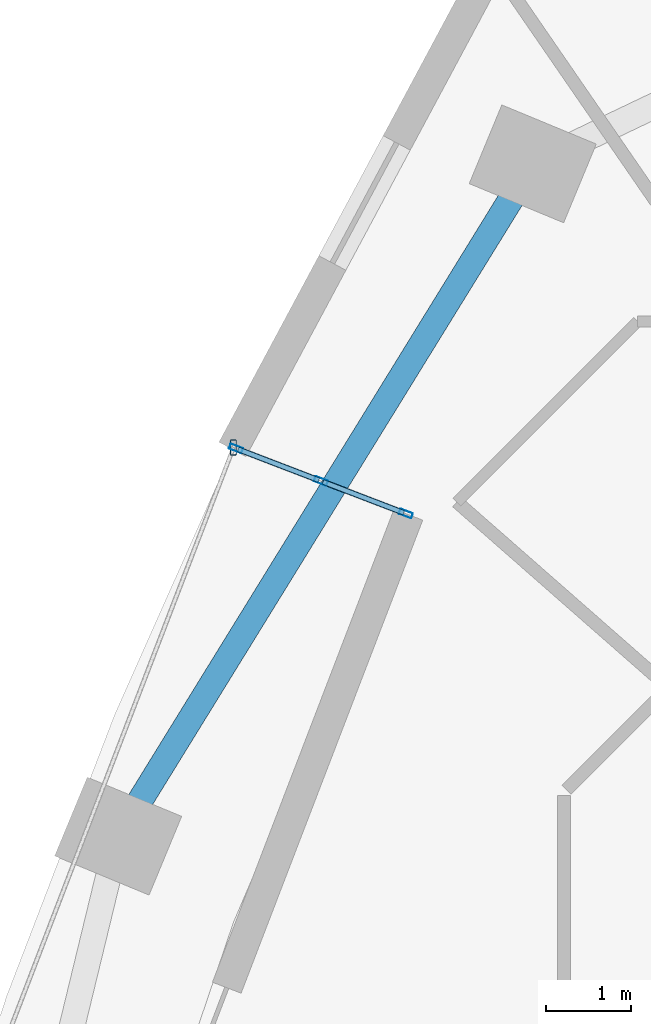
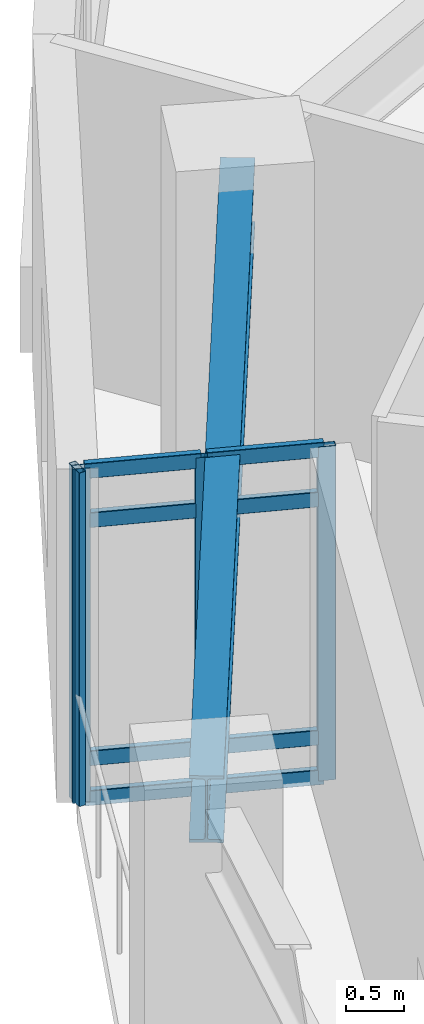
# One storey, part 3 of 12: 12 members, 1 beam, 1 element without a shape of its own.
"""IFC4 building model written with IfcOpenShell, lengths in metres."""

import ifcopenshell
import ifcopenshell.guid

model = None  # the IFC model being written
_history = None  # IfcOwnerHistory: only IFC2X3 demands one
_inside = {}  # id of a spatial element -> (the spatial element, [elements in it])
_under = {}  # id of a project, library or spatial element -> (it, [spatial elements below it])
_declared = {}  # id of a project -> (the project, [libraries it declares])
_typed = {}  # id of a type object -> (the type object, [elements of that type])
_made_of = {}  # id of a material, layer set ... -> (it, [elements and type objects made of it])


def new_model(schema):
    """Start an empty IFC model of exactly this schema.

    Asked for "IFC4X3", IfcOpenShell would pick the latest addendum, in which some entities
    have other attributes; the version numbers below select the first issue.
    IFC2X3 requires an IfcOwnerHistory on every rooted entity: one is made here for all.
    """
    global model, _history
    if schema == "IFC4X3":
        model = ifcopenshell.file(schema_version=(4, 3, 0, 0))
    else:
        model = ifcopenshell.file(schema=schema)
    _inside.clear()
    _under.clear()
    _declared.clear()
    _typed.clear()
    _made_of.clear()
    _history = None
    if model.schema == "IFC2X3":
        org = make("IfcOrganization", Name="unknown")
        user = make(
            "IfcPersonAndOrganization",
            ThePerson=make("IfcPerson", FamilyName="unknown"),
            TheOrganization=org,
        )
        app = make(
            "IfcApplication",
            ApplicationDeveloper=org,
            Version="unknown",
            ApplicationFullName="unknown",
            ApplicationIdentifier="unknown",
        )
        _history = make(
            "IfcOwnerHistory",
            OwningUser=user,
            OwningApplication=app,
            ChangeAction="ADDED",
            CreationDate=0,
        )
    return model


def make(cls, **values):
    """One entity of the class cls with the attributes given. An attribute that is None is left unset."""
    return model.create_entity(
        cls, **{name: value for name, value in values.items() if value is not None}
    )


def rooted(cls, **values):
    """An entity with a GlobalId (a new one), such as an element, a storey or a relation."""
    return make(cls, GlobalId=ifcopenshell.guid.new(), OwnerHistory=_history, **values)


def si_unit(unit_type, name, prefix=None):
    """IfcSIUnit, for example si_unit("LENGTHUNIT", "METRE", prefix="MILLI")."""
    return make("IfcSIUnit", UnitType=unit_type, Prefix=prefix, Name=name)


def assignment(units):
    """IfcUnitAssignment: the units of a project."""
    return None if units is None else make("IfcUnitAssignment", Units=units)


def point(xyz):
    """IfcCartesianPoint."""
    return None if xyz is None else make("IfcCartesianPoint", Coordinates=xyz)


def direction(xyz):
    """IfcDirection."""
    return None if xyz is None else make("IfcDirection", DirectionRatios=xyz)


def frame(location, z_axis=None, x_axis=None):
    """IfcAxis2Placement3D, a coordinate frame: its origin and axes. An axis left out is left unset."""
    return make(
        "IfcAxis2Placement3D",
        Location=point(location),
        Axis=direction(z_axis),
        RefDirection=direction(x_axis),
    )


def frame_2d(location, x_axis=None):
    """IfcAxis2Placement2D, a coordinate frame in the plane: its origin and x axis."""
    return make(
        "IfcAxis2Placement2D", Location=point(location), RefDirection=direction(x_axis)
    )


def origin():
    """The frame at (0, 0, 0) with its axes left unset."""
    return frame((0.0, 0.0, 0.0))


def origin_2d():
    """The frame at (0, 0) in the plane with its x axis left unset."""
    return frame_2d((0.0, 0.0))


def place(relative_to, where):
    """IfcLocalPlacement: puts the frame where relative to a parent placement (None: the world)."""
    return make(
        "IfcLocalPlacement", PlacementRelTo=relative_to, RelativePlacement=where
    )


def context(
    kind, dimensions, precision=None, world=None, true_north=None, identifier=None
):
    """IfcGeometricRepresentationContext, for example the 3D "Model" context."""
    return make(
        "IfcGeometricRepresentationContext",
        ContextIdentifier=identifier,
        ContextType=kind,
        CoordinateSpaceDimension=dimensions,
        Precision=precision,
        WorldCoordinateSystem=world,
        TrueNorth=true_north,
    )


def subcontext(parent, identifier, kind, view, scale=None):
    """IfcGeometricRepresentationSubContext, for example "Body" below "Model"."""
    return make(
        "IfcGeometricRepresentationSubContext",
        ContextIdentifier=identifier,
        ContextType=kind,
        ParentContext=parent,
        TargetScale=scale,
        TargetView=view,
    )


def project(units=None, contexts=None):
    """IfcProject with its units and contexts."""
    return rooted(
        "IfcProject",
        Name="project",
        RepresentationContexts=contexts,
        UnitsInContext=assignment(units),
    )


def spatial(cls, under=None, at=None, **own):
    """A site, building, storey or space (cls), placed at a placement, below another one or the project."""
    s = rooted(cls, ObjectPlacement=at, **own)
    if under is not None:
        _under.setdefault(under.id(), (under, []))[1].append(s)
    return s


def profile(cls, at=None, kind="AREA", **sizes):
    """A parametric profile (cls). Its sizes go by their IFC names, for example OverallWidth=200.0."""
    return make(cls, ProfileType=kind, Position=at, **sizes)


def hollow_rectangle(**sizes):
    """IfcRectangleHollowProfileDef."""
    return profile("IfcRectangleHollowProfileDef", **sizes)


def i_section(**sizes):
    """IfcIShapeProfileDef."""
    return profile("IfcIShapeProfileDef", **sizes)


def extrude(swept, where, along, depth):
    """IfcExtrudedAreaSolid: the profile swept, set in the frame where, extruded along a direction by depth."""
    return make(
        "IfcExtrudedAreaSolid",
        SweptArea=swept,
        Position=where,
        ExtrudedDirection=direction(along),
        Depth=depth,
    )


def shape(context_of_items, identifier, shape_type, items):
    """IfcShapeRepresentation: the items that make up one representation, for example the "Body"."""
    return make(
        "IfcShapeRepresentation",
        ContextOfItems=context_of_items,
        RepresentationIdentifier=identifier,
        RepresentationType=shape_type,
        Items=items,
    )


def material(Name=None, Category=None):
    """IfcMaterial."""
    return make("IfcMaterial", Name=Name, Category=Category)


def layer(
    of_material, thickness, ventilated=None, Name=None, Category=None, Priority=None
):
    """IfcMaterialLayer: one layer of a wall or slab, of a material (None: an air gap)."""
    return make(
        "IfcMaterialLayer",
        Material=of_material,
        LayerThickness=thickness,
        IsVentilated=ventilated,
        Name=Name,
        Category=Category,
        Priority=Priority,
    )


def layer_set(layers, Name=None):
    """IfcMaterialLayerSet."""
    return make("IfcMaterialLayerSet", MaterialLayers=layers, LayerSetName=Name)


def material_profile(
    of_material, cross_section, Name=None, Category=None, Priority=None
):
    """IfcMaterialProfile: a cross section and its material."""
    return make(
        "IfcMaterialProfile",
        Name=Name,
        Material=of_material,
        Profile=cross_section,
        Priority=Priority,
        Category=Category,
    )


def profile_set(profiles, Name=None, composite=None):
    """IfcMaterialProfileSet."""
    return make(
        "IfcMaterialProfileSet",
        Name=Name,
        MaterialProfiles=profiles,
        CompositeProfile=composite,
    )


def made_of(thing, what):
    """Note that an element or type object is made of a material, layer set ...; save() writes the relation."""
    if what is not None:
        _made_of.setdefault(what.id(), (what, []))[1].append(thing)
    return thing


def type_object(cls, material=None, **own):
    """A type object (cls), such as IfcWallType, which elements share."""
    return made_of(rooted(cls, **own), material)


def element(
    cls,
    number,
    at=None,
    inside=None,
    cuts=None,
    type_object=None,
    material=None,
    context=None,
    identifier="Body",
    shape_type=None,
    held_by="IfcProductDefinitionShape",
    body=None,
    shapes=None,
    **own,
):
    """One element of the class cls, such as IfcWall. Its Tag is "e" and its number.

    at: its placement. inside: the storey or other place that contains it. cuts: it is an
    opening in that element (IfcRelVoidsElement). A single representation is given by context,
    identifier, shape_type and body (its items); several are given by shapes. held_by: the class
    of the entity that holds the representations. save() writes the other relations.
    """
    e = rooted(cls, Tag="e%d" % number, ObjectPlacement=at, **own)
    if body is not None:
        shapes = [shape(context, identifier, shape_type, body)]
    if shapes is not None:
        e.Representation = make(held_by, Representations=shapes)
    if inside is not None:
        _inside.setdefault(inside.id(), (inside, []))[1].append(e)
    if cuts is not None:
        rooted(
            "IfcRelVoidsElement", RelatingBuildingElement=cuts, RelatedOpeningElement=e
        )
    if type_object is not None:
        _typed.setdefault(type_object.id(), (type_object, []))[1].append(e)
    return made_of(e, material)


def aggregate(whole, parts):
    """IfcRelAggregates: a whole, such as a stair, and the parts it consists of."""
    return rooted("IfcRelAggregates", RelatingObject=whole, RelatedObjects=parts)


def save(model, path):
    """Write the relations noted so far, then the file.

    IfcRelAggregates (storeys below a building ...), IfcRelContainedInSpatialStructure (elements
    in a storey), IfcRelDefinesByType, IfcRelAssociatesMaterial and IfcRelDeclares: one each for
    every whole, place, type object, material and project.
    """
    for whole, parts in _under.values():
        aggregate(whole, parts)
    for where, things in _inside.values():
        rooted(
            "IfcRelContainedInSpatialStructure",
            RelatedElements=things,
            RelatingStructure=where,
        )
    for kind, things in _typed.values():
        rooted("IfcRelDefinesByType", RelatedObjects=things, RelatingType=kind)
    for what, things in _made_of.values():
        rooted("IfcRelAssociatesMaterial", RelatedObjects=things, RelatingMaterial=what)
    for by, libraries in _declared.values():
        rooted("IfcRelDeclares", RelatingContext=by, RelatedDefinitions=libraries)
    model.write(path)


model = new_model("IFC4")

# Units and contexts
model_context = context("Model", 3, precision=1e-05, world=origin(), true_north=direction((0.0, 1.0)))
body_context = subcontext(model_context, "Body", "Model", "MODEL_VIEW")
ifc_project = project(units=[si_unit("LENGTHUNIT", "METRE"), si_unit("AREAUNIT", "SQUARE_METRE"), si_unit("VOLUMEUNIT", "CUBIC_METRE"), si_unit("PLANEANGLEUNIT", "RADIAN"), si_unit("MASSUNIT", "GRAM", prefix="KILO")], contexts=[model_context])

# Site, building, storey
site_placement = place(None, origin())
site = spatial("IfcSite", under=ifc_project, at=site_placement, CompositionType="ELEMENT")
building_placement = place(site_placement, origin())
building = spatial("IfcBuilding", under=site, at=building_placement, Name="Ndelora Gate Hotel", CompositionType="ELEMENT")
storey_placement = place(building_placement, frame((0.0, 0.0, 60.5)))
storey = spatial("IfcBuildingStorey", under=building, at=storey_placement, Name="L14", CompositionType="ELEMENT", Elevation=60.5)

# Beam
ifc_material_1 = material(Name="Steel S355", Category="steel")
ifc_material_profile_1 = material_profile(ifc_material_1, i_section(OverallWidth=0.300048828125, OverallDepth=0.699951171875, WebThickness=0.01708984375, FlangeThickness=0.031982421875, FilletRadius=0.027099609375, at=origin_2d()), Name="HEB 700")
ifc_profile_set_1 = profile_set([ifc_material_profile_1], Name="Steel S355")
beam_type = type_object("IfcBeamType", Name="BM-RING-700", PredefinedType="SPANDREL", material=ifc_profile_set_1)
beam_placement = place(storey_placement, frame((-11.1484375, 14.529052734375, 3.14990234375), z_axis=(-0.524897602516, -0.851165381623, 0.0), x_axis=(0.851165381623, -0.524897602516, 0.0)))
element("IfcBeam", 1, at=beam_placement, inside=storey, type_object=beam_type, Name="L14 Perimeter Spandrel Girder 2", PredefinedType="SPANDREL", context=body_context, shape_type="SweptSolid", body=[
    extrude(i_section(OverallWidth=0.300048828125, OverallDepth=0.699951171875, WebThickness=0.01708984375, FlangeThickness=0.031982421875, FilletRadius=0.027099609375, at=origin_2d()), origin(), (0.0, 0.0, 1.0), 9.27490234375),
])

# Curtain wall, members
ifc_material_2 = material(Name="Bronze Anodised Unitised Aluminium and Low-E Glass", Category="aluminium")
ifc_layer = layer(ifc_material_2, 0.199951171875)
ifc_layer_set = layer_set([ifc_layer], Name="Bronze Anodised Unitised Aluminium and Low-E Glass")
curtain_wall_type = type_object("IfcCurtainWallType", Name="CW-SYS-3", PredefinedType="NOTDEFINED", material=ifc_layer_set)
curtain_wall_placement = place(storey_placement, origin())
curtain_wall = element("IfcCurtainWall", 2, at=curtain_wall_placement, inside=storey, type_object=curtain_wall_type, Name="L14 Sky-Garden Loggia Side Curtain Wall CW3-1", PredefinedType="NOTDEFINED")
ifc_material_3 = material(Name="Bronze Anodised Aluminium 6063-T6", Category="aluminium")
ifc_material_profile_2 = material_profile(ifc_material_3, hollow_rectangle(XDim=0.06494140625, YDim=0.159912109375, WallThickness=0.00390625, InnerFilletRadius=0.00390625, OuterFilletRadius=0.008056640625, at=origin_2d()), Name="ALU 160x65x4")
ifc_profile_set_2 = profile_set([ifc_material_profile_2], Name="Bronze Anodised Aluminium 6063-T6")
member_type_1 = type_object("IfcMemberType", Name="MB-CW-MUL150", PredefinedType="MULLION", material=ifc_profile_set_2)
member_1_placement = place(storey_placement, frame((-12.638916015625, 10.421630859375, -0.00390625), z_axis=(0.0, 0.0, 1.0), x_axis=(-0.358360683234, -0.93358321574, 0.0)))
member_1 = element("IfcMember", 3, at=member_1_placement, type_object=member_type_1, Name="CW3 mullion 1", PredefinedType="MULLION", context=body_context, shape_type="SweptSolid", body=[
    extrude(hollow_rectangle(XDim=0.06494140625, YDim=0.159912109375, WallThickness=0.00390625, InnerFilletRadius=0.00390625, OuterFilletRadius=0.008056640625, at=origin_2d()), origin(), (0.0, 0.0, 1.0), 3.5078125),
])
member_2_placement = place(storey_placement, frame((-13.635498046875, 10.80419921875, -0.00390625), z_axis=(0.0, 0.0, 1.0), x_axis=(-0.358360683234, -0.93358321574, 0.0)))
member_2 = element("IfcMember", 4, at=member_2_placement, type_object=member_type_1, Name="CW3 mullion 2", PredefinedType="MULLION", context=body_context, shape_type="SweptSolid", body=[
    extrude(hollow_rectangle(XDim=0.06494140625, YDim=0.159912109375, WallThickness=0.00390625, InnerFilletRadius=0.00390625, OuterFilletRadius=0.008056640625, at=origin_2d()), origin(), (0.0, 0.0, 1.0), 3.5078125),
])
member_3_placement = place(storey_placement, frame((-14.632080078125, 11.186767578125, -0.00390625), z_axis=(0.0, 0.0, 1.0), x_axis=(-0.358360683234, -0.93358321574, 0.0)))
member_3 = element("IfcMember", 5, at=member_3_placement, type_object=member_type_1, Name="CW3 mullion 3", PredefinedType="MULLION", context=body_context, shape_type="SweptSolid", body=[
    extrude(hollow_rectangle(XDim=0.06494140625, YDim=0.159912109375, WallThickness=0.00390625, InnerFilletRadius=0.00390625, OuterFilletRadius=0.008056640625, at=origin_2d()), origin(), (0.0, 0.0, 1.0), 3.5078125),
])
ifc_material_profile_3 = material_profile(ifc_material_3, hollow_rectangle(XDim=0.070068359375, YDim=0.179931640625, WallThickness=0.0048828125, InnerFilletRadius=0.0048828125, OuterFilletRadius=0.010009765625, at=origin_2d()), Name="ALU 180x70x5")
ifc_profile_set_3 = profile_set([ifc_material_profile_3], Name="Bronze Anodised Aluminium 6063-T6")
member_type_2 = type_object("IfcMemberType", Name="MB-CW-MUL180", PredefinedType="MULLION", material=ifc_profile_set_3)
member_4_placement = place(storey_placement, frame((-14.66259765625, 11.198486328125, 0.0), z_axis=(0.0, 0.0, 1.0), x_axis=(1.0, 0.0, 0.0)))
member_4 = element("IfcMember", 6, at=member_4_placement, type_object=member_type_2, Name="L14 Sky-Garden Loggia Corner Mullion Post 1", PredefinedType="MULLION", context=body_context, shape_type="SweptSolid", body=[
    extrude(hollow_rectangle(XDim=0.070068359375, YDim=0.179931640625, WallThickness=0.0048828125, InnerFilletRadius=0.0048828125, OuterFilletRadius=0.010009765625, at=origin_2d()), origin(), (0.0, 0.0, 1.0), 3.5),
])
ifc_material_profile_4 = material_profile(ifc_material_3, hollow_rectangle(XDim=0.06494140625, YDim=0.159912109375, WallThickness=0.00390625, InnerFilletRadius=0.00390625, OuterFilletRadius=0.008056640625, at=origin_2d()), Name="ALU 160x65x4")
ifc_profile_set_4 = profile_set([ifc_material_profile_4], Name="Bronze Anodised Aluminium 6063-T6")
member_type_3 = type_object("IfcMemberType", Name="MB-CW-TRN150", PredefinedType="USERDEFINED", material=ifc_profile_set_4)
member_5_placement = place(storey_placement, frame((-12.66357421875, 10.43115234375, 0.032470703125), z_axis=(-0.933612017007, 0.358285642609, 0.0), x_axis=(-0.358285642609, -0.933612017007, 0.0)))
member_5 = element("IfcMember", 7, at=member_5_placement, type_object=member_type_3, Name="CW3 transom 1.1", ObjectType="TRANSOM", PredefinedType="USERDEFINED", context=body_context, shape_type="SweptSolid", body=[
    extrude(hollow_rectangle(XDim=0.06494140625, YDim=0.159912109375, WallThickness=0.00390625, InnerFilletRadius=0.00390625, OuterFilletRadius=0.008056640625, at=origin_2d()), origin(), (0.0, 0.0, 1.0), 1.0146484375),
])
member_6_placement = place(storey_placement, frame((-12.66357421875, 10.43115234375, 0.449951171875), z_axis=(-0.933612017007, 0.358285642609, 0.0), x_axis=(-0.358285642609, -0.933612017007, 0.0)))
member_6 = element("IfcMember", 8, at=member_6_placement, type_object=member_type_3, Name="CW3 transom 1.2", ObjectType="TRANSOM", PredefinedType="USERDEFINED", context=body_context, shape_type="SweptSolid", body=[
    extrude(hollow_rectangle(XDim=0.06494140625, YDim=0.159912109375, WallThickness=0.00390625, InnerFilletRadius=0.00390625, OuterFilletRadius=0.008056640625, at=origin_2d()), origin(), (0.0, 0.0, 1.0), 1.0146484375),
])
member_7_placement = place(storey_placement, frame((-12.66357421875, 10.43115234375, 2.949951171875), z_axis=(-0.933612017007, 0.358285642609, 0.0), x_axis=(-0.358285642609, -0.933612017007, 0.0)))
member_7 = element("IfcMember", 9, at=member_7_placement, type_object=member_type_3, Name="CW3 transom 1.3", ObjectType="TRANSOM", PredefinedType="USERDEFINED", context=body_context, shape_type="SweptSolid", body=[
    extrude(hollow_rectangle(XDim=0.06494140625, YDim=0.159912109375, WallThickness=0.00390625, InnerFilletRadius=0.00390625, OuterFilletRadius=0.008056640625, at=origin_2d()), origin(), (0.0, 0.0, 1.0), 1.0146484375),
])
member_8_placement = place(storey_placement, frame((-12.66357421875, 10.43115234375, 3.467529296875), z_axis=(-0.933612017007, 0.358285642609, 0.0), x_axis=(-0.358285642609, -0.933612017007, 0.0)))
member_8 = element("IfcMember", 10, at=member_8_placement, type_object=member_type_3, Name="CW3 transom 1.4", ObjectType="TRANSOM", PredefinedType="USERDEFINED", context=body_context, shape_type="SweptSolid", body=[
    extrude(hollow_rectangle(XDim=0.06494140625, YDim=0.159912109375, WallThickness=0.00390625, InnerFilletRadius=0.00390625, OuterFilletRadius=0.008056640625, at=origin_2d()), origin(), (0.0, 0.0, 1.0), 1.0146484375),
])
member_9_placement = place(storey_placement, frame((-13.660400390625, 10.813720703125, 0.032470703125), z_axis=(-0.93358111833, 0.358366147253, 0.0), x_axis=(-0.358366147253, -0.93358111833, 0.0)))
member_9 = element("IfcMember", 11, at=member_9_placement, type_object=member_type_3, Name="CW3 transom 2.1", ObjectType="TRANSOM", PredefinedType="USERDEFINED", context=body_context, shape_type="SweptSolid", body=[
    extrude(hollow_rectangle(XDim=0.06494140625, YDim=0.159912109375, WallThickness=0.00390625, InnerFilletRadius=0.00390625, OuterFilletRadius=0.008056640625, at=origin_2d()), origin(), (0.0, 0.0, 1.0), 1.014404296875),
])
member_10_placement = place(storey_placement, frame((-13.660400390625, 10.813720703125, 0.449951171875), z_axis=(-0.93358111833, 0.358366147253, 0.0), x_axis=(-0.358366147253, -0.93358111833, 0.0)))
member_10 = element("IfcMember", 12, at=member_10_placement, type_object=member_type_3, Name="CW3 transom 2.2", ObjectType="TRANSOM", PredefinedType="USERDEFINED", context=body_context, shape_type="SweptSolid", body=[
    extrude(hollow_rectangle(XDim=0.06494140625, YDim=0.159912109375, WallThickness=0.00390625, InnerFilletRadius=0.00390625, OuterFilletRadius=0.008056640625, at=origin_2d()), origin(), (0.0, 0.0, 1.0), 1.014404296875),
])
member_11_placement = place(storey_placement, frame((-13.660400390625, 10.813720703125, 2.949951171875), z_axis=(-0.93358111833, 0.358366147253, 0.0), x_axis=(-0.358366147253, -0.93358111833, 0.0)))
member_11 = element("IfcMember", 13, at=member_11_placement, type_object=member_type_3, Name="CW3 transom 2.3", ObjectType="TRANSOM", PredefinedType="USERDEFINED", context=body_context, shape_type="SweptSolid", body=[
    extrude(hollow_rectangle(XDim=0.06494140625, YDim=0.159912109375, WallThickness=0.00390625, InnerFilletRadius=0.00390625, OuterFilletRadius=0.008056640625, at=origin_2d()), origin(), (0.0, 0.0, 1.0), 1.014404296875),
])
member_12_placement = place(storey_placement, frame((-13.660400390625, 10.813720703125, 3.467529296875), z_axis=(-0.93358111833, 0.358366147253, 0.0), x_axis=(-0.358366147253, -0.93358111833, 0.0)))
member_12 = element("IfcMember", 14, at=member_12_placement, type_object=member_type_3, Name="CW3 transom 2.4", ObjectType="TRANSOM", PredefinedType="USERDEFINED", context=body_context, shape_type="SweptSolid", body=[
    extrude(hollow_rectangle(XDim=0.06494140625, YDim=0.159912109375, WallThickness=0.00390625, InnerFilletRadius=0.00390625, OuterFilletRadius=0.008056640625, at=origin_2d()), origin(), (0.0, 0.0, 1.0), 1.014404296875),
])
aggregate(curtain_wall, [member_1, member_2, member_3, member_5, member_6, member_7, member_8, member_9, member_10, member_11, member_12, member_4])

save(model, "model.ifc")
